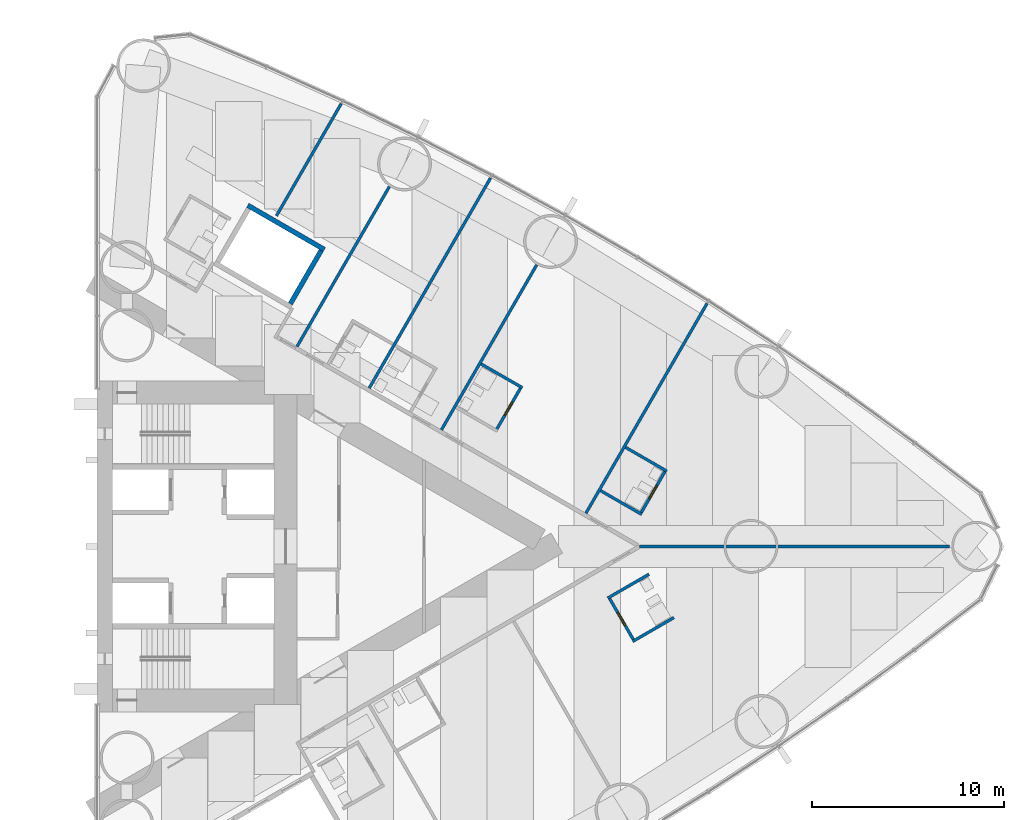
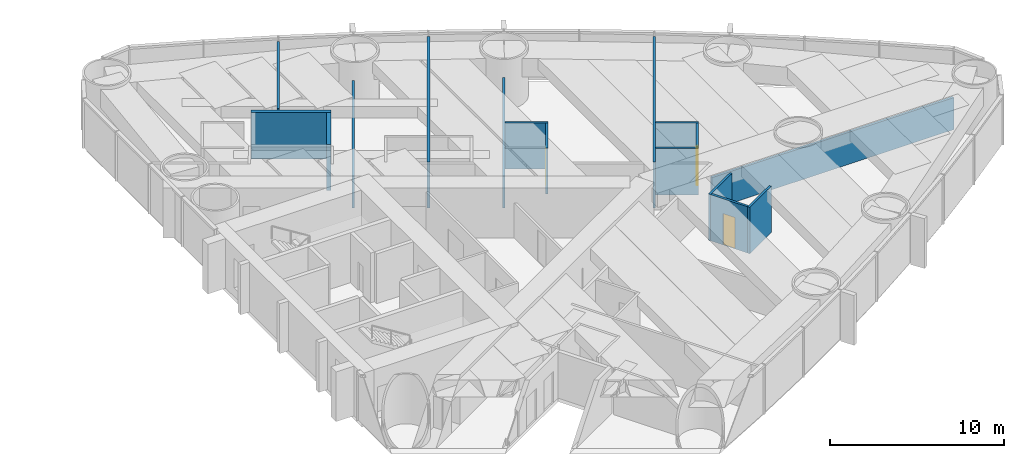
# One storey, part 16 of 19: 16 walls, 3 doors, 3 openings.
"""IFC4 building model written with IfcOpenShell, lengths in metres."""

from ifc_helpers import new_model, si_unit, direction, frame, frame_2d, origin, place, context, subcontext, project, spatial, rectangle, extrude, material, layer, layer_set, type_object, element, fill, save


model = new_model("IFC4")

# Units and contexts
model_context = context("Model", 3, precision=1e-05, world=origin(), true_north=direction((0.0, 1.0)))
body_context = subcontext(model_context, "Body", "Model", "MODEL_VIEW")
ifc_project = project(units=[si_unit("LENGTHUNIT", "METRE"), si_unit("AREAUNIT", "SQUARE_METRE"), si_unit("VOLUMEUNIT", "CUBIC_METRE"), si_unit("PLANEANGLEUNIT", "RADIAN"), si_unit("MASSUNIT", "GRAM", prefix="KILO")], contexts=[model_context])

# Site, building, storey
site_placement = place(None, origin())
site = spatial("IfcSite", under=ifc_project, at=site_placement, CompositionType="ELEMENT")
building_placement = place(site_placement, origin())
building = spatial("IfcBuilding", under=site, at=building_placement, Name="Lancet Gate Hotel", CompositionType="ELEMENT")
storey_placement = place(building_placement, frame((0.0, 0.0, 39.0)))
storey = spatial("IfcBuildingStorey", under=building, at=storey_placement, Name="L09", CompositionType="ELEMENT", Elevation=39.0)

# Wall
ifc_material_1 = material(Name="Moisture resistant board partition")
ifc_layer_1 = layer(ifc_material_1, 0.14990234375)
ifc_layer_set_1 = layer_set([ifc_layer_1], Name="Bathroom wall 150")
wall_type_1 = type_object("IfcWallType", Name="Bathroom wall 150", PredefinedType="PARTITIONING", material=ifc_layer_set_1)
wall_1_placement = place(storey_placement, frame((55.34912109375, -4.938232421875, 0.0), z_axis=(0.0, 0.0, 1.0), x_axis=(0.866006523861, 0.500032699561, 0.0)))
element("IfcWall", 1, at=wall_1_placement, inside=storey, type_object=wall_type_1, Name="T2 bathroom wall 150 L09", PredefinedType="PARTITIONING", context=body_context, shape_type="SweptSolid", body=[
    extrude(rectangle(XDim=2.474853515625, YDim=0.14990234375, at=frame_2d((1.2373046875, 0.0))), origin(), (0.0, 0.0, 1.0), 3.25),
])

# Wall, opening, door
wall_2_placement = place(storey_placement, frame((54.114013671875, -2.64892578125, 0.0), z_axis=(0.0, 0.0, 1.0), x_axis=(0.500006934395, -0.866021400173, 0.0)))
wall_2 = element("IfcWall", 2, at=wall_2_placement, inside=storey, type_object=wall_type_1, Name="T2 bathroom wall 150 L09", PredefinedType="PARTITIONING", context=body_context, shape_type="SweptSolid", body=[
    extrude(rectangle(XDim=2.60009765625, YDim=0.14990234375, at=frame_2d((1.300048828125, 0.0))), origin(), (0.0, 0.0, 1.0), 3.25),
])
opening_1_placement = place(wall_2_placement, frame((0.89990234375, 0.0, 0.0)))
opening_1 = element("IfcOpeningElement", 3, at=opening_1_placement, cuts=wall_2, Name="Opening 0956-B", PredefinedType="OPENING", context=body_context, shape_type="SweptSolid", body=[
    extrude(rectangle(XDim=0.800048828125, YDim=2.199951171875, at=frame_2d((0.39990234375, 1.10009765625))), frame((0.0, 0.0849609375, 0.0), z_axis=(0.0, -1.0, 0.0), x_axis=(1.0, 0.0, 0.0)), (0.0, 0.0, 1.0), 0.169921875),
])
ifc_material_2 = material(Name="Timber door set", Category="wood")
door_type = type_object("IfcDoorType", Name="Bathroom door 800", OperationType="SINGLE_SWING_RIGHT", PredefinedType="DOOR", material=ifc_material_2)
door_1_placement = place(opening_1_placement, origin())
door_1 = element("IfcDoor", 4, at=door_1_placement, inside=storey, type_object=door_type, Name="0956-B", OperationType="SINGLE_SWING_RIGHT", OverallHeight=2.199951171875, OverallWidth=0.800048828125, PredefinedType="DOOR", context=body_context, shape_type="SweptSolid", body=[
    extrude(rectangle(XDim=0.800048828125, YDim=2.199951171875, at=frame_2d((0.39990234375, 1.10009765625))), frame((0.0, 0.02490234375, 0.0), z_axis=(0.0, -1.0, 0.0), x_axis=(1.0, 0.0, 0.0)), (0.0, 0.0, 1.0), 0.050048828125),
])
fill(opening_1, door_1)

# Walls
for number, where, z_axis, x_axis, name in (
    (5, (54.049072265625, -2.6865234375, 0.0), (0.0, 0.0, 1.0), (0.866006523861, 0.500032699561, 0.0), "T2 bathroom wall 150 L09"),
    (6, (54.979736328125, 5.1513671875, 0.0), (0.0, 0.0, 1.0), (0.86604923931, -0.499958713387, 0.0), "T2 bathroom wall 150 L09"),
):
    element("IfcWall", number, at=place(storey_placement, frame(where, z_axis=z_axis, x_axis=x_axis)), inside=storey, type_object=wall_type_1, Name=name, PredefinedType="PARTITIONING", context=body_context, shape_type="SweptSolid", body=[
        extrude(rectangle(XDim=2.474853515625, YDim=0.14990234375, at=frame_2d((1.2373046875, 0.0))), origin(), (0.0, 0.0, 1.0), 3.25),
    ])

# Wall, opening, door
wall_3_placement = place(storey_placement, frame((55.758056640625, 1.69970703125, 0.0), z_axis=(0.0, 0.0, 1.0), x_axis=(0.500006934395, 0.866021400173, 0.0)))
wall_3 = element("IfcWall", 7, at=wall_3_placement, inside=storey, type_object=wall_type_1, Name="T2 bathroom wall 150 L09", PredefinedType="PARTITIONING", context=body_context, shape_type="SweptSolid", body=[
    extrude(rectangle(XDim=2.60009765625, YDim=0.14990234375, at=frame_2d((1.300048828125, 0.0))), origin(), (0.0, 0.0, 1.0), 3.25),
])
opening_2_placement = place(wall_3_placement, frame((0.89990234375, 0.0, 0.0)))
opening_2 = element("IfcOpeningElement", 8, at=opening_2_placement, cuts=wall_3, Name="Opening 0958-B", PredefinedType="OPENING", context=body_context, shape_type="SweptSolid", body=[
    extrude(rectangle(XDim=0.800048828125, YDim=2.199951171875, at=frame_2d((0.39990234375, 1.10009765625))), frame((0.0, 0.0849609375, 0.0), z_axis=(0.0, -1.0, 0.0), x_axis=(1.0, 0.0, 0.0)), (0.0, 0.0, 1.0), 0.169921875),
])
door_2_placement = place(opening_2_placement, origin())
door_2 = element("IfcDoor", 9, at=door_2_placement, inside=storey, type_object=door_type, Name="0958-B", OperationType="SINGLE_SWING_RIGHT", OverallHeight=2.199951171875, OverallWidth=0.800048828125, PredefinedType="DOOR", context=body_context, shape_type="SweptSolid", body=[
    extrude(rectangle(XDim=0.800048828125, YDim=2.199951171875, at=frame_2d((0.39990234375, 1.10009765625))), frame((0.0, 0.02490234375, 0.0), z_axis=(0.0, -1.0, 0.0), x_axis=(1.0, 0.0, 0.0)), (0.0, 0.0, 1.0), 0.050048828125),
])
fill(opening_2, door_2)

# Walls
for number, where, z_axis, x_axis, name in (
    (10, (53.6796875, 2.89990234375, 0.0), (0.0, 0.0, 1.0), (0.866006523861, -0.500032699561, 0.0), "T2 bathroom wall 150 L09"),
    (11, (47.468017578125, 9.48828125, 0.0), (0.0, 0.0, 1.0), (0.86604923931, -0.499958713387, 0.0), "T2 bathroom wall 150 L09"),
):
    element("IfcWall", number, at=place(storey_placement, frame(where, z_axis=z_axis, x_axis=x_axis)), inside=storey, type_object=wall_type_1, Name=name, PredefinedType="PARTITIONING", context=body_context, shape_type="SweptSolid", body=[
        extrude(rectangle(XDim=2.474853515625, YDim=0.14990234375, at=frame_2d((1.2373046875, 0.0))), origin(), (0.0, 0.0, 1.0), 3.25),
    ])

# Wall, opening, door
wall_4_placement = place(storey_placement, frame((48.246337890625, 6.03662109375, 0.0), z_axis=(0.0, 0.0, 1.0), x_axis=(0.500006934395, 0.866021400173, 0.0)))
wall_4 = element("IfcWall", 12, at=wall_4_placement, inside=storey, type_object=wall_type_1, Name="T2 bathroom wall 150 L09", PredefinedType="PARTITIONING", context=body_context, shape_type="SweptSolid", body=[
    extrude(rectangle(XDim=2.60009765625, YDim=0.14990234375, at=frame_2d((1.300048828125, 0.0))), origin(), (0.0, 0.0, 1.0), 3.25),
])
opening_3_placement = place(wall_4_placement, frame((0.89990234375, 0.0, 0.0)))
opening_3 = element("IfcOpeningElement", 13, at=opening_3_placement, cuts=wall_4, Name="Opening 0959-B", PredefinedType="OPENING", context=body_context, shape_type="SweptSolid", body=[
    extrude(rectangle(XDim=0.800048828125, YDim=2.199951171875, at=frame_2d((0.39990234375, 1.10009765625))), frame((0.0, 0.0849609375, 0.0), z_axis=(0.0, -1.0, 0.0), x_axis=(1.0, 0.0, 0.0)), (0.0, 0.0, 1.0), 0.169921875),
])
door_3_placement = place(opening_3_placement, origin())
door_3 = element("IfcDoor", 14, at=door_3_placement, inside=storey, type_object=door_type, Name="0959-B", OperationType="SINGLE_SWING_RIGHT", OverallHeight=2.199951171875, OverallWidth=0.800048828125, PredefinedType="DOOR", context=body_context, shape_type="SweptSolid", body=[
    extrude(rectangle(XDim=0.800048828125, YDim=2.199951171875, at=frame_2d((0.39990234375, 1.10009765625))), frame((0.0, 0.02490234375, 0.0), z_axis=(0.0, -1.0, 0.0), x_axis=(1.0, 0.0, 0.0)), (0.0, 0.0, 1.0), 0.050048828125),
])
fill(opening_3, door_3)

# Walls
ifc_material_3 = material(Name="Gypsum board partition")
ifc_layer_2 = layer(ifc_material_3, 0.25)
ifc_layer_set_2 = layer_set([ifc_layer_2], Name="Lift shaft partition 250")
wall_type_2 = type_object("IfcWallType", Name="Lift shaft partition 250", PredefinedType="PARTITIONING", material=ifc_layer_set_2)
wall_5_placement = place(storey_placement, frame((35.33349609375, 17.73583984375, 0.0), z_axis=(0.0, 0.0, 1.0), x_axis=(0.866043305498, -0.49996899204, 0.0)))
element("IfcWall", 15, at=wall_5_placement, inside=storey, type_object=wall_type_2, Name="T2 lift shaft wall EX L09", PredefinedType="PARTITIONING", context=body_context, shape_type="SweptSolid", body=[
    extrude(rectangle(XDim=4.600341796875, YDim=0.25, at=frame_2d((2.30029296875, 0.0))), origin(), (0.0, 0.0, 1.0), 3.25),
])
wall_6_placement = place(storey_placement, frame((37.546630859375, 12.617919921875, 0.0), z_axis=(0.0, 0.0, 1.0), x_axis=(0.499929347863, 0.866066190972, 0.0)))
element("IfcWall", 16, at=wall_6_placement, inside=storey, type_object=wall_type_2, Name="T2 lift shaft wall EX L09", PredefinedType="PARTITIONING", context=body_context, shape_type="SweptSolid", body=[
    extrude(rectangle(XDim=3.20068359375, YDim=0.25, at=frame_2d((1.600341796875, 0.0))), origin(), (0.0, 0.0, 1.0), 3.25),
])
ifc_material_4 = material(Name="Gypsum board partition")
ifc_layer_3 = layer(ifc_material_4, 0.14990234375)
ifc_layer_set_3 = layer_set([ifc_layer_3], Name="Party wall 150")
wall_type_3 = type_object("IfcWallType", Name="Party wall 150", PredefinedType="PARTITIONING", material=ifc_layer_set_3)
wall_7_placement = place(storey_placement, frame((37.895263671875, 10.396484375, 0.0), z_axis=(0.0, 0.0, 1.0), x_axis=(0.499995616528, 0.866027934568, 0.0)))
element("IfcWall", 17, at=wall_7_placement, inside=storey, type_object=wall_type_3, Name="T2 party wall 150 L09", PredefinedType="PARTITIONING", context=body_context, shape_type="SweptSolid", body=[
    extrude(rectangle(XDim=9.59326171875, YDim=0.14990234375, at=frame_2d((4.796630859375, 0.0))), origin(), (0.0, 0.0, 1.0), 2.25),
])
wall_8_placement = place(storey_placement, frame((41.6474609375, 8.22998046875, 0.0), z_axis=(0.0, 0.0, 1.0), x_axis=(0.49998590462, 0.866033541603, 0.0)))
element("IfcWall", 18, at=wall_8_placement, inside=storey, type_object=wall_type_3, Name="T2 party wall 150 L09", PredefinedType="PARTITIONING", context=body_context, shape_type="SweptSolid", body=[
    extrude(rectangle(XDim=12.620849609375, YDim=0.14990234375, at=frame_2d((6.310546875, 0.0))), origin(), (0.0, 0.0, 1.0), 3.25),
])
wall_9_placement = place(storey_placement, frame((45.40283203125, 6.061767578125, 0.0), z_axis=(0.0, 0.0, 1.0), x_axis=(0.500013434677, 0.866017647131, 0.0)))
element("IfcWall", 19, at=wall_9_placement, inside=storey, type_object=wall_type_3, Name="T2 party wall 150 L09", PredefinedType="PARTITIONING", context=body_context, shape_type="SweptSolid", body=[
    extrude(rectangle(XDim=9.901611328125, YDim=0.14990234375, at=frame_2d((4.95068359375, 0.0))), origin(), (0.0, 0.0, 1.0), 2.25),
])
wall_10_placement = place(storey_placement, frame((52.914794921875, 1.724853515625, 0.0), z_axis=(0.0, 0.0, 1.0), x_axis=(0.499997163113, 0.866027041656, 0.0)))
element("IfcWall", 20, at=wall_10_placement, inside=storey, type_object=wall_type_3, Name="T2 party wall 150 L09", PredefinedType="PARTITIONING", context=body_context, shape_type="SweptSolid", body=[
    extrude(rectangle(XDim=12.5908203125, YDim=0.14990234375, at=frame_2d((6.29541015625, 0.0))), origin(), (0.0, 0.0, 1.0), 3.25),
])
wall_11_placement = place(storey_placement, frame((55.7021484375, 0.0, 0.0), z_axis=(0.0, 0.0, 1.0), x_axis=(1.0, 0.0, 0.0)))
element("IfcWall", 21, at=wall_11_placement, inside=storey, type_object=wall_type_3, Name="T2 party wall 150 L09", PredefinedType="PARTITIONING", context=body_context, shape_type="SweptSolid", body=[
    extrude(rectangle(XDim=16.116943359375, YDim=0.14990234375, at=frame_2d((8.05859375, 0.0))), origin(), (0.0, 0.0, 1.0), 2.25),
])
wall_12_placement = place(storey_placement, frame((36.823974609375, 17.19287109375, 0.0), z_axis=(0.0, 0.0, 1.0), x_axis=(0.500027691974, 0.866009415226, 0.0)))
element("IfcWall", 22, at=wall_12_placement, inside=storey, type_object=wall_type_3, Name="T2 party wall 150 L09", PredefinedType="PARTITIONING", context=body_context, shape_type="SweptSolid", body=[
    extrude(rectangle(XDim=6.73876953125, YDim=0.14990234375, at=frame_2d((3.369384765625, 0.0))), origin(), (0.0, 0.0, 1.0), 3.25),
])

save(model, "model.ifc")
